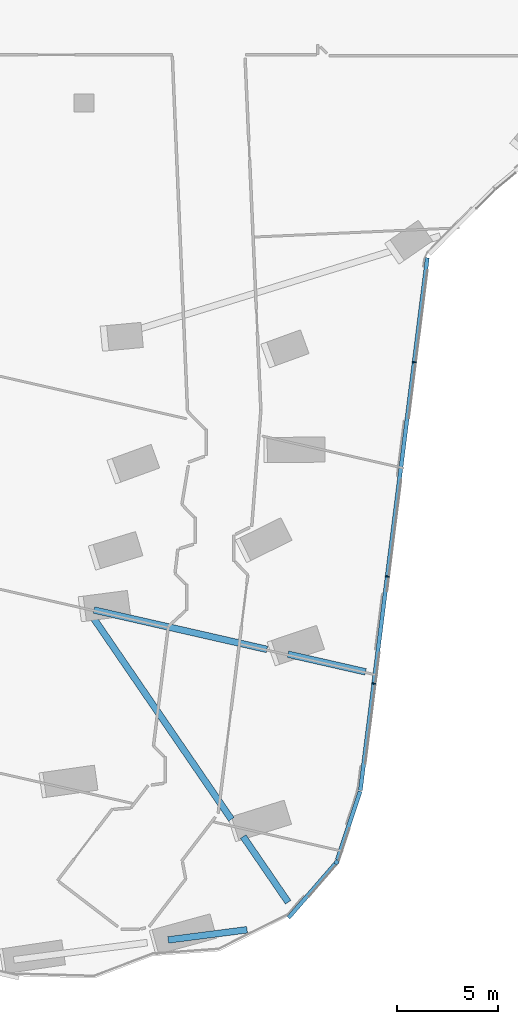
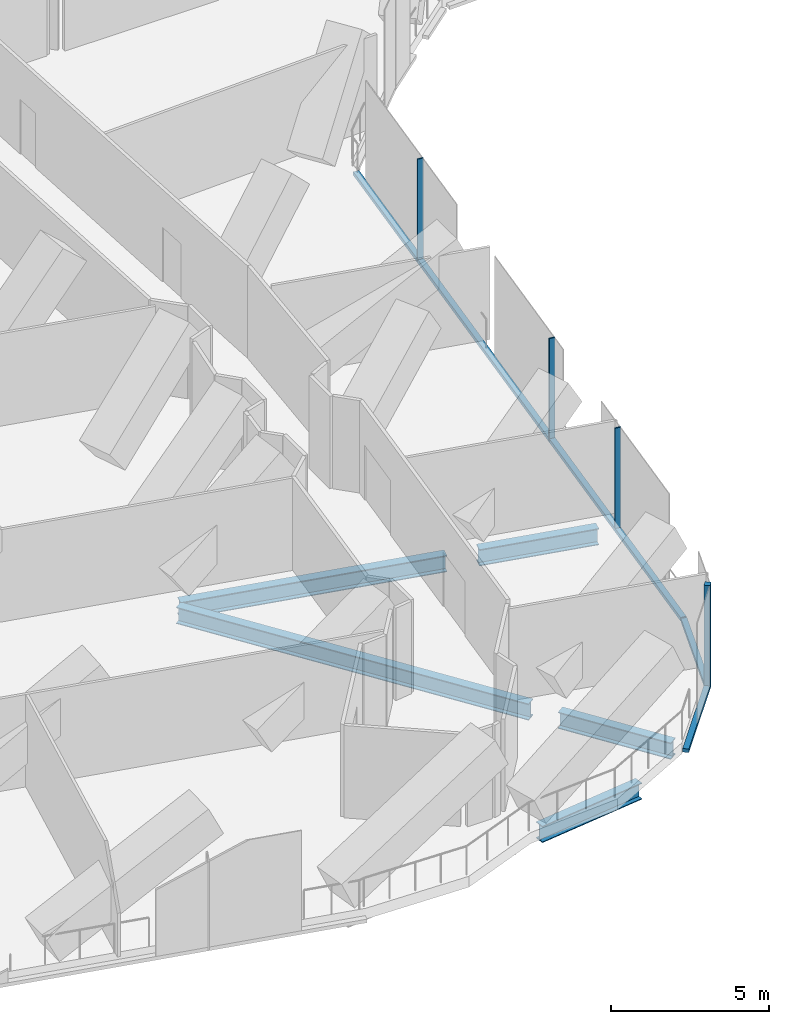
# One storey, part 5 of 29: 7 members, 5 beams, 3 elements without a shape of their own.
"""IFC4 building model written with IfcOpenShell, lengths in metres."""

from ifc_helpers import new_model, si_unit, direction, frame, origin, origin_2d, place, context, subcontext, project, spatial, rectangle, i_section, extrude, material, material_profile, profile_set, type_object, element, aggregate, save


model = new_model("IFC4")

# Units and contexts
model_context = context("Model", 3, precision=1e-05, world=origin(), true_north=direction((0.0, 1.0)))
body_context = subcontext(model_context, "Body", "Model", "MODEL_VIEW")
ifc_project = project(units=[si_unit("LENGTHUNIT", "METRE"), si_unit("AREAUNIT", "SQUARE_METRE"), si_unit("VOLUMEUNIT", "CUBIC_METRE"), si_unit("PLANEANGLEUNIT", "RADIAN"), si_unit("MASSUNIT", "GRAM", prefix="KILO")], contexts=[model_context])

# Site, building, storey
site_placement = place(None, origin())
site = spatial("IfcSite", under=ifc_project, at=site_placement, CompositionType="ELEMENT")
building_placement = place(site_placement, origin())
building = spatial("IfcBuilding", under=site, at=building_placement, Name="Orlundy Tower", CompositionType="ELEMENT")
storey_placement = place(building_placement, frame((0.0, 0.0, 184.60009765625)))
storey = spatial("IfcBuildingStorey", under=building, at=storey_placement, Name="L48", CompositionType="ELEMENT", Elevation=184.60009765625)

# Beams
ifc_material_1 = material(Name="Steel ASTM A992 Gr 50", Category="steel")
ifc_material_profile_1 = material_profile(ifc_material_1, i_section(OverallWidth=0.3291015625, OverallDepth=0.635009765625, WebThickness=0.017822265625, FlangeThickness=0.031005859375, at=origin_2d()), Name="W24X162")
ifc_profile_set_1 = profile_set([ifc_material_profile_1], Name="Steel ASTM A992 Gr 50")
beam_type = type_object("IfcBeamType", Name="CANTILEVER GIRDER beam W24X162", PredefinedType="BEAM", material=ifc_profile_set_1)
beam_1_placement = place(storey_placement, frame((13.966064453125, -46.22265625, -0.737548828125), z_axis=(-0.975042307048, 0.222019142118, 0.0), x_axis=(-0.222019142118, -0.975042307048, 0.0)))
element("IfcBeam", 1, at=beam_1_placement, inside=storey, type_object=beam_type, Name="Cantilever girder C-B5-2 L48", PredefinedType="BEAM", context=body_context, shape_type="SweptSolid", body=[
    extrude(i_section(OverallWidth=0.3291015625, OverallDepth=0.635009765625, WebThickness=0.017822265625, FlangeThickness=0.031005859375, at=origin_2d()), origin(), (0.0, 0.0, 1.0), 3.949951171875),
])
beam_2_placement = place(storey_placement, frame((9.0732421875, -45.1083984375, -0.737548828125), z_axis=(-0.975030624984, 0.22207044005, 0.0), x_axis=(-0.22207044005, -0.975030624984, 0.0)))
element("IfcBeam", 2, at=beam_2_placement, inside=storey, type_object=beam_type, Name="Back-span girder C-B5-2 L48", PredefinedType="BEAM", context=body_context, shape_type="SweptSolid", body=[
    extrude(i_section(OverallWidth=0.3291015625, OverallDepth=0.635009765625, WebThickness=0.017822265625, FlangeThickness=0.031005859375, at=origin_2d()), origin(), (0.0, 0.0, 1.0), 8.80615234375),
])
beam_3_placement = place(storey_placement, frame((10.1259765625, -57.65380859375, -0.737548828125), z_axis=(-0.565224430199, 0.824937175491, 0.0), x_axis=(-0.824937175491, -0.565224430199, 0.0)))
element("IfcBeam", 3, at=beam_3_placement, inside=storey, type_object=beam_type, Name="Cantilever girder C-B5-3 L48", PredefinedType="BEAM", context=body_context, shape_type="SweptSolid", body=[
    extrude(i_section(OverallWidth=0.3291015625, OverallDepth=0.635009765625, WebThickness=0.017822265625, FlangeThickness=0.031005859375, at=origin_2d()), origin(), (0.0, 0.0, 1.0), 3.949951171875),
])
beam_4_placement = place(storey_placement, frame((7.310546875, -53.544677734375, -0.737548828125), z_axis=(-0.565203251314, 0.824951686285, 0.0), x_axis=(-0.824951686285, -0.565203251314, 0.0)))
element("IfcBeam", 4, at=beam_4_placement, inside=storey, type_object=beam_type, Name="Back-span girder C-B5-3 L48", PredefinedType="BEAM", context=body_context, shape_type="SweptSolid", body=[
    extrude(i_section(OverallWidth=0.3291015625, OverallDepth=0.635009765625, WebThickness=0.017822265625, FlangeThickness=0.031005859375, at=origin_2d()), origin(), (0.0, 0.0, 1.0), 12.33349609375),
])
beam_5_placement = place(storey_placement, frame((8.085693359375, -59.02001953125, -0.737548828125), z_axis=(-0.991797087904, -0.127822284543, 0.0), x_axis=(0.127822284543, -0.991797087904, 0.0)))
element("IfcBeam", 5, at=beam_5_placement, inside=storey, type_object=beam_type, Name="Cantilever girder C-B5-5 L48", PredefinedType="BEAM", context=body_context, shape_type="SweptSolid", body=[
    extrude(i_section(OverallWidth=0.3291015625, OverallDepth=0.635009765625, WebThickness=0.017822265625, FlangeThickness=0.031005859375, at=origin_2d()), origin(), (0.0, 0.0, 1.0), 3.949951171875),
])

# Curtain wall, member
ifc_material_2 = material(Name="Aluminium bronze anodised", Category="aluminium")
curtain_wall_type = type_object("IfcCurtainWallType", Name="CW5 wall", PredefinedType="NOTDEFINED", material=ifc_material_2)
curtain_wall_1_placement = place(storey_placement, origin())
curtain_wall_1 = element("IfcCurtainWall", 6, at=curtain_wall_1_placement, inside=storey, type_object=curtain_wall_type, Name="CW5 run 034", PredefinedType="NOTDEFINED")
ifc_material_3 = material(Name="Aluminium bronze anodised", Category="aluminium")
ifc_material_profile_2 = material_profile(ifc_material_3, rectangle(XDim=0.199951171875, YDim=0.199951171875, at=origin_2d()), Name="CW5 corner post 200x200")
ifc_profile_set_2 = profile_set([ifc_material_profile_2], Name="Aluminium bronze anodised")
member_type_1 = type_object("IfcMemberType", Name="CW5 corner post 200x200", PredefinedType="MULLION", material=ifc_profile_set_2)
member_1_placement = place(storey_placement, frame((12.523681640625, -55.67138671875, -0.420166015625), z_axis=(0.0, 0.0, 1.0), x_axis=(0.755626772005, -0.655002428568, 0.0)))
member_1 = element("IfcMember", 7, at=member_1_placement, type_object=member_type_1, Name="CW5 mullion 51", PredefinedType="MULLION", context=body_context, shape_type="SweptSolid", body=[
    extrude(rectangle(XDim=0.199951171875, YDim=0.199951171875, at=origin_2d()), origin(), (0.0, 0.0, 1.0), 4.0),
])

# Curtain wall, members
curtain_wall_2_placement = place(storey_placement, origin())
curtain_wall_2 = element("IfcCurtainWall", 8, at=curtain_wall_2_placement, inside=storey, type_object=curtain_wall_type, Name="CW5 run 032", PredefinedType="NOTDEFINED")
ifc_material_4 = material(Name="Aluminium bronze anodised", Category="aluminium")
ifc_material_profile_3 = material_profile(ifc_material_4, rectangle(XDim=0.199951171875, YDim=0.050048828125, at=origin_2d()), Name="CW5 mullion 50x200")
ifc_profile_set_3 = profile_set([ifc_material_profile_3], Name="Aluminium bronze anodised")
member_type_2 = type_object("IfcMemberType", Name="CW5 mullion 50x200", PredefinedType="MULLION", material=ifc_profile_set_3)
member_2_placement = place(storey_placement, frame((16.3779296875, -30.857177734375, -0.420166015625), z_axis=(0.0, 0.0, 1.0), x_axis=(0.992189164773, -0.124742379758, 0.0)))
member_2 = element("IfcMember", 9, at=member_2_placement, type_object=member_type_2, Name="CW5 mullion 46", PredefinedType="MULLION", context=body_context, shape_type="SweptSolid", body=[
    extrude(rectangle(XDim=0.199951171875, YDim=0.050048828125, at=origin_2d()), origin(), (0.0, 0.0, 1.0), 4.0),
])
member_3_placement = place(storey_placement, frame((15.04150390625, -41.48681640625, -0.420166015625), z_axis=(0.0, 0.0, 1.0), x_axis=(0.992189164773, -0.124742379758, 0.0)))
member_3 = element("IfcMember", 10, at=member_3_placement, type_object=member_type_2, Name="CW5 mullion 48", PredefinedType="MULLION", context=body_context, shape_type="SweptSolid", body=[
    extrude(rectangle(XDim=0.199951171875, YDim=0.050048828125, at=origin_2d()), origin(), (0.0, 0.0, 1.0), 4.0),
])
member_4_placement = place(storey_placement, frame((14.37353515625, -46.8017578125, -0.420166015625), z_axis=(0.0, 0.0, 1.0), x_axis=(0.992189164773, -0.124742379758, 0.0)))
member_4 = element("IfcMember", 11, at=member_4_placement, type_object=member_type_2, Name="CW5 mullion 49", PredefinedType="MULLION", context=body_context, shape_type="SweptSolid", body=[
    extrude(rectangle(XDim=0.199951171875, YDim=0.050048828125, at=origin_2d()), origin(), (0.0, 0.0, 1.0), 4.0),
])
ifc_material_5 = material(Name="Aluminium bronze anodised", Category="aluminium")
ifc_material_profile_4 = material_profile(ifc_material_5, rectangle(XDim=0.199951171875, YDim=0.139892578125, at=origin_2d()), Name="CW5 transom 200x140")
ifc_profile_set_4 = profile_set([ifc_material_profile_4], Name="Aluminium bronze anodised")
member_type_3 = type_object("IfcMemberType", Name="CW5 transom 200x140", PredefinedType="USERDEFINED", material=ifc_profile_set_4)
member_5_placement = place(storey_placement, frame((17.029541015625, -25.67529296875, -0.35009765625), z_axis=(-0.124746585375, -0.992188636015, 0.0), x_axis=(0.992188636015, -0.124746585375, 0.0)))
member_5 = element("IfcMember", 12, at=member_5_placement, type_object=member_type_3, Name="CW5 transom", ObjectType="TRANSOM", PredefinedType="USERDEFINED", context=body_context, shape_type="SweptSolid", body=[
    extrude(rectangle(XDim=0.199951171875, YDim=0.139892578125, at=origin_2d()), origin(), (0.0, 0.0, 1.0), 26.634033203125),
])
aggregate(curtain_wall_2, [member_2, member_3, member_4, member_5])

# Curtain wall, member
curtain_wall_3_placement = place(storey_placement, origin())
curtain_wall_3 = element("IfcCurtainWall", 13, at=curtain_wall_3_placement, inside=storey, type_object=curtain_wall_type, Name="CW5 run 033", PredefinedType="NOTDEFINED")
member_6_placement = place(storey_placement, frame((13.696044921875, -52.150146484375, -0.35009765625), z_axis=(-0.315882185376, -0.948798421669, 0.0), x_axis=(0.948798421669, -0.315882185376, 0.0)))
member_6 = element("IfcMember", 14, at=member_6_placement, type_object=member_type_3, Name="CW5 transom", ObjectType="TRANSOM", PredefinedType="USERDEFINED", context=body_context, shape_type="SweptSolid", body=[
    extrude(rectangle(XDim=0.199951171875, YDim=0.139892578125, at=origin_2d()), origin(), (0.0, 0.0, 1.0), 3.603271484375),
])
aggregate(curtain_wall_3, [member_6])

# Member
member_7_placement = place(storey_placement, frame((12.4580078125, -55.7470703125, -0.35009765625), z_axis=(-0.655014594971, -0.75561622559, 0.0), x_axis=(0.75561622559, -0.655014594971, 0.0)))
member_7 = element("IfcMember", 15, at=member_7_placement, type_object=member_type_3, Name="CW5 transom", ObjectType="TRANSOM", PredefinedType="USERDEFINED", context=body_context, shape_type="SweptSolid", body=[
    extrude(rectangle(XDim=0.199951171875, YDim=0.139892578125, at=origin_2d()), origin(), (0.0, 0.0, 1.0), 3.538330078125),
])

aggregate(curtain_wall_1, [member_1, member_7])

save(model, "model.ifc")
